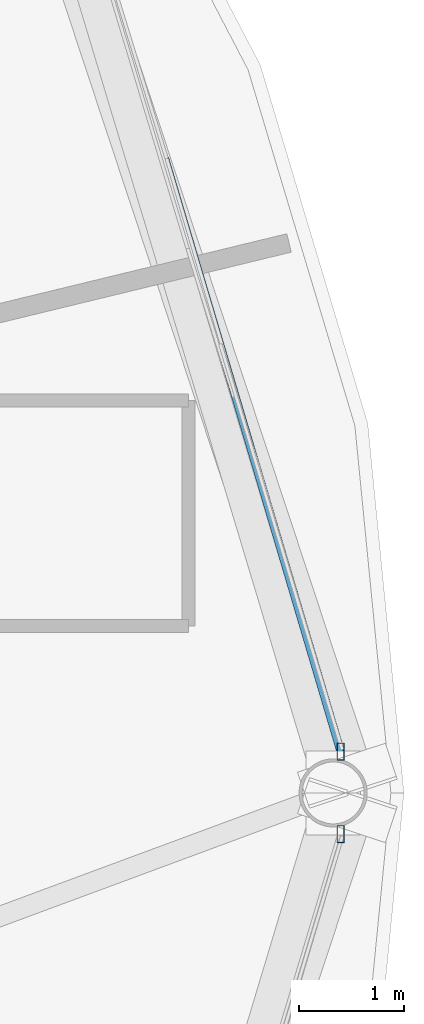
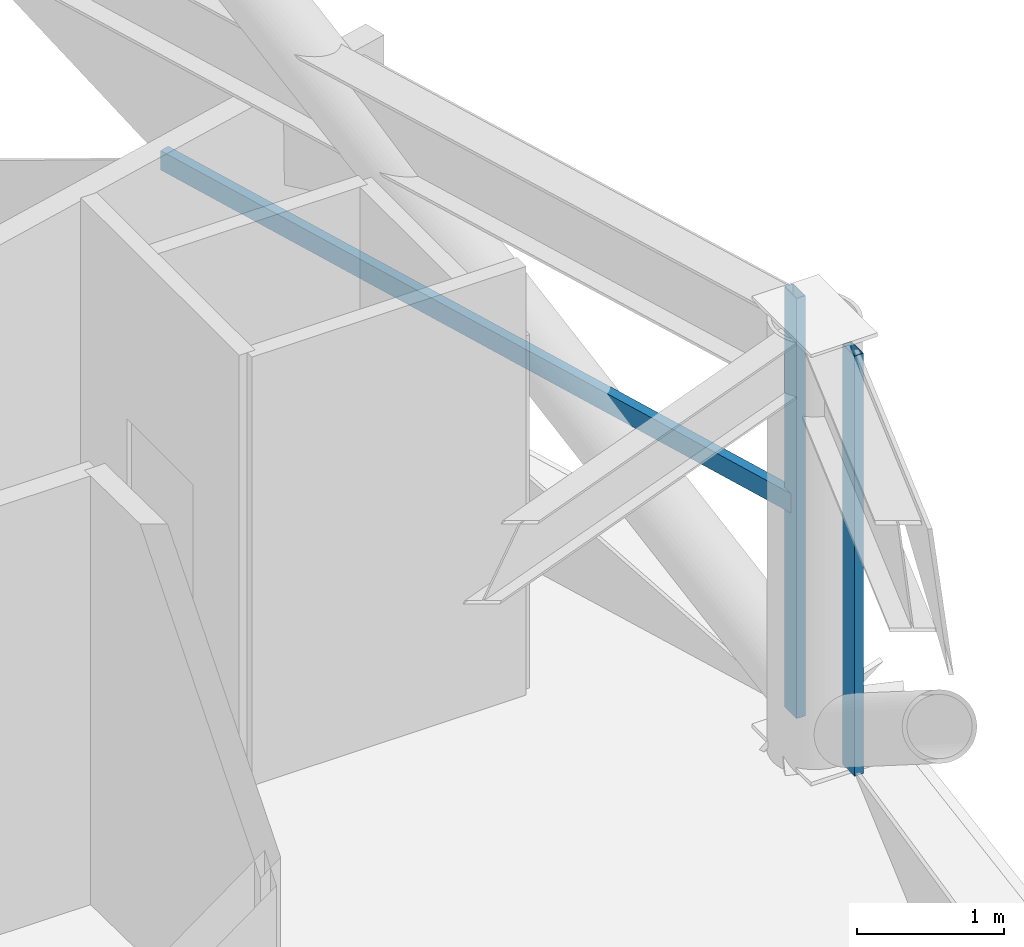
# One storey, part 13 of 29: 3 members, 2 elements without a shape of their own.
"""IFC4 building model written with IfcOpenShell, lengths in metres."""

from ifc_helpers import new_model, si_unit, direction, frame, origin, origin_2d, place, context, subcontext, project, spatial, hollow_rectangle, extrude, material, layer, layer_set, material_profile, profile_set, type_object, element, aggregate, save


model = new_model("IFC4")

# Units and contexts
model_context = context("Model", 3, precision=1e-05, world=origin(), true_north=direction((0.0, 1.0)))
body_context = subcontext(model_context, "Body", "Model", "MODEL_VIEW")
ifc_project = project(units=[si_unit("LENGTHUNIT", "METRE"), si_unit("AREAUNIT", "SQUARE_METRE"), si_unit("VOLUMEUNIT", "CUBIC_METRE"), si_unit("PLANEANGLEUNIT", "RADIAN"), si_unit("MASSUNIT", "GRAM", prefix="KILO")], contexts=[model_context])

# Site, building, storey
site_placement = place(None, origin())
site = spatial("IfcSite", under=ifc_project, at=site_placement, CompositionType="ELEMENT")
building_placement = place(site_placement, origin())
building = spatial("IfcBuilding", under=site, at=building_placement, Name="Vantalir Tower", CompositionType="ELEMENT")
storey_placement = place(building_placement, frame((0.0, 0.0, 227.39990234375)))
storey = spatial("IfcBuildingStorey", under=building, at=storey_placement, Name="L57", CompositionType="ELEMENT", Elevation=227.39990234375)

# Curtain wall, member
ifc_material_1 = material(Name="Champagne-silver PVDF aluminium and double-silver Low-E glass", Category="aluminium")
ifc_layer = layer(ifc_material_1, 0.2099609375)
ifc_layer_set = layer_set([ifc_layer], Name="Champagne-silver PVDF aluminium and double-silver Low-E glass")
curtain_wall_type = type_object("IfcCurtainWallType", Name="CW-DIAMOND-Z3", PredefinedType="USERDEFINED", material=ifc_layer_set)
curtain_wall_1_placement = place(storey_placement, origin())
curtain_wall_1 = element("IfcCurtainWall", 1, at=curtain_wall_1_placement, inside=storey, type_object=curtain_wall_type, Name="L57 Quilted Pyramid-Diamond Curtain Wall S01", ObjectType="UNITISED CURTAIN WALL", PredefinedType="USERDEFINED")
ifc_material_2 = material(Name="Champagne-silver PVDF aluminium 6063-T6", Category="aluminium")
ifc_material_profile_1 = material_profile(ifc_material_2, hollow_rectangle(XDim=0.070068359375, YDim=0.1650390625, WallThickness=0.00390625, at=origin_2d()), Name="Champagne-silver PVDF aluminium 6063-T6")
ifc_profile_set_1 = profile_set([ifc_material_profile_1], Name="Champagne-silver PVDF aluminium 6063-T6")
member_type_1 = type_object("IfcMemberType", Name="CWM-165x70", PredefinedType="MULLION", material=ifc_profile_set_1)
member_1_placement = place(storey_placement, frame((53.5849609375, 25.39306640625, 0.045166015625), z_axis=(0.0, 0.0, 1.0), x_axis=(1.0, 0.0, 0.0)))
member_1 = element("IfcMember", 2, at=member_1_placement, type_object=member_type_1, Name="CW-L57-S01 Mullion 1", PredefinedType="MULLION", context=body_context, shape_type="SweptSolid", body=[
    extrude(hollow_rectangle(XDim=0.070068359375, YDim=0.1650390625, WallThickness=0.00390625, at=origin_2d()), origin(), (0.0, 0.0, 1.0), 3.47998046875),
])

curtain_wall_2_placement = place(storey_placement, origin())
curtain_wall_2 = element("IfcCurtainWall", 3, at=curtain_wall_2_placement, inside=storey, type_object=curtain_wall_type, Name="L57 Quilted Pyramid-Diamond Curtain Wall S12", ObjectType="UNITISED CURTAIN WALL", PredefinedType="USERDEFINED")
member_2_placement = place(storey_placement, frame((53.5849609375, 24.60693359375, 0.045166015625), z_axis=(0.0, 0.0, 1.0), x_axis=(1.0, 0.0, 0.0)))
member_2 = element("IfcMember", 4, at=member_2_placement, type_object=member_type_1, Name="CW-L57-S12 Mullion 2", PredefinedType="MULLION", context=body_context, shape_type="SweptSolid", body=[
    extrude(hollow_rectangle(XDim=0.070068359375, YDim=0.1650390625, WallThickness=0.00390625, at=origin_2d()), origin(), (0.0, 0.0, 1.0), 3.47998046875),
])
aggregate(curtain_wall_2, [member_2])

# Member
ifc_material_profile_2 = material_profile(ifc_material_2, hollow_rectangle(XDim=0.074951171875, YDim=0.159912109375, WallThickness=0.00390625, at=origin_2d()), Name="Champagne-silver PVDF aluminium 6063-T6")
ifc_profile_set_2 = profile_set([ifc_material_profile_2], Name="Champagne-silver PVDF aluminium 6063-T6")
member_type_2 = type_object("IfcMemberType", Name="CWT-160x75", PredefinedType="USERDEFINED", material=ifc_profile_set_2)
member_3_placement = place(storey_placement, frame((53.5849609375, 25.39306640625, 1.78515625), z_axis=(-0.28410947815, 0.958791846245, 0.0), x_axis=(-0.958791846245, -0.28410947815, 0.0)))
member_3 = element("IfcMember", 5, at=member_3_placement, type_object=member_type_2, Name="CW-L57-S01 Pyramid Fold Ridge Transom", ObjectType="TRANSOM", PredefinedType="USERDEFINED", context=body_context, shape_type="SweptSolid", body=[
    extrude(hollow_rectangle(XDim=0.074951171875, YDim=0.159912109375, WallThickness=0.00390625, at=origin_2d()), origin(), (0.0, 0.0, 1.0), 5.895751953125),
])

aggregate(curtain_wall_1, [member_1, member_3])

save(model, "model.ifc")
